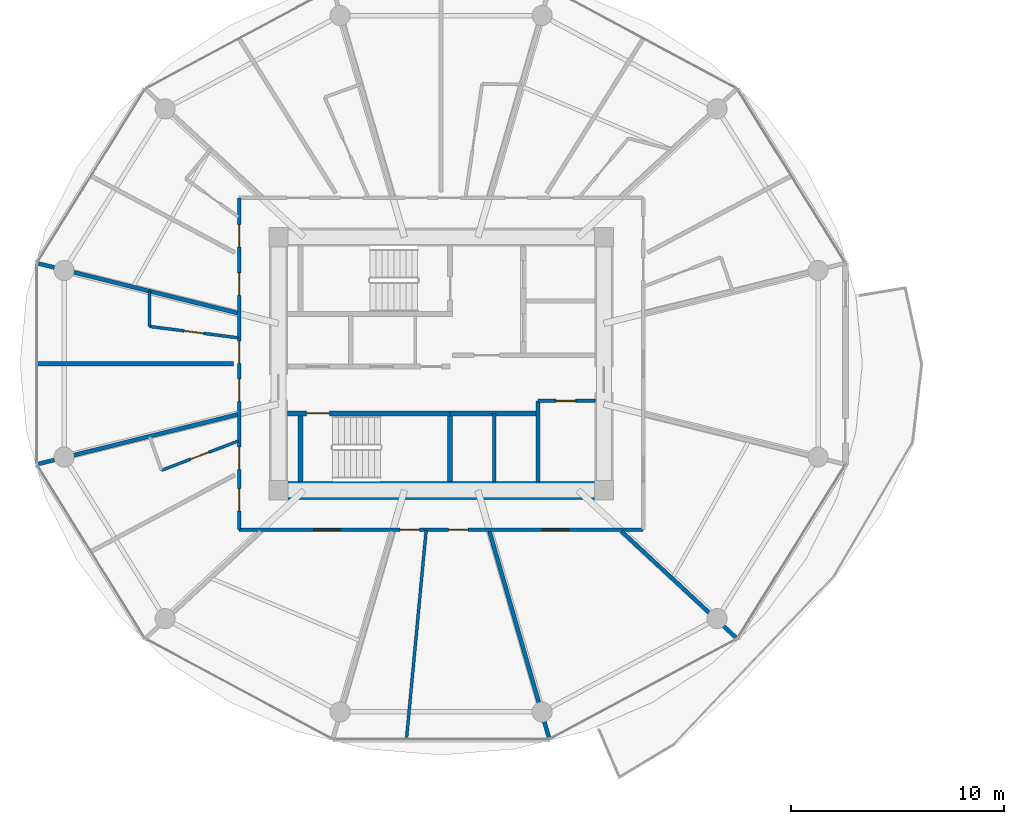
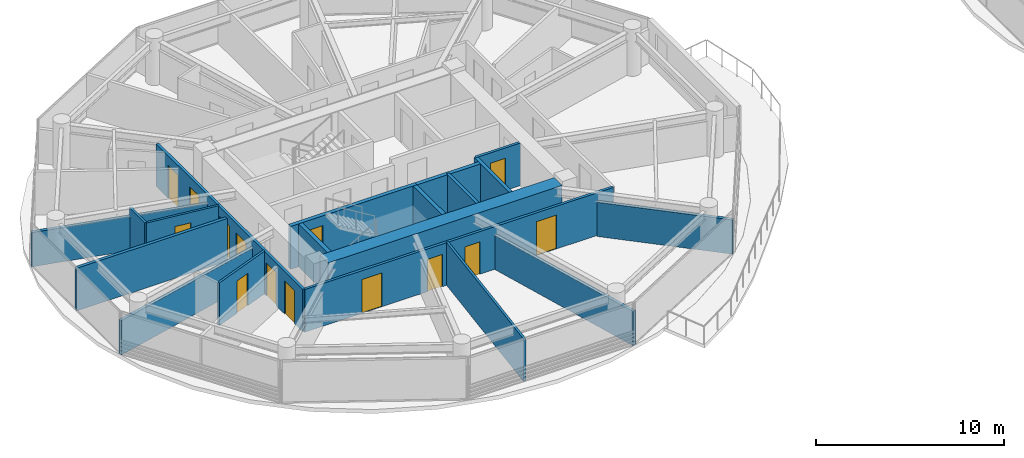
# One storey, part 15 of 27: 19 walls, 14 doors, 14 openings.
"""IFC4 building model written with IfcOpenShell, lengths in metres."""

from ifc_helpers import new_model, si_unit, direction, frame, frame_2d, origin, place, context, subcontext, project, spatial, rectangle, extrude, source, transform, mapped, material, layer, layer_set, type_object, type_shapes, element, fill, save


model = new_model("IFC4")

# Units and contexts
model_context = context("Model", 3, precision=1e-05, world=origin(), true_north=direction((0.0, 1.0)))
body_context = subcontext(model_context, "Body", "Model", "MODEL_VIEW")
ifc_project = project(units=[si_unit("LENGTHUNIT", "METRE"), si_unit("AREAUNIT", "SQUARE_METRE"), si_unit("VOLUMEUNIT", "CUBIC_METRE"), si_unit("PLANEANGLEUNIT", "RADIAN"), si_unit("MASSUNIT", "GRAM", prefix="KILO")], contexts=[model_context])

# Site, building, storey
site_placement = place(None, origin())
site = spatial("IfcSite", under=ifc_project, at=site_placement, CompositionType="ELEMENT")
building_placement = place(site_placement, origin())
building = spatial("IfcBuilding", under=site, at=building_placement, Name="Norrkilde Senior Care Towers", CompositionType="ELEMENT")
storey_placement = place(building_placement, frame((0.0, 0.0, 61.25)))
storey = spatial("IfcBuildingStorey", under=building, at=storey_placement, Name="L18", CompositionType="ELEMENT", Elevation=61.25)

# Walls
ifc_material_1 = material(Name="Concrete C60/75", Category="concrete")
ifc_layer_1 = layer(ifc_material_1, 0.85009765625)
ifc_layer_set_1 = layer_set([ifc_layer_1], Name="Concrete C60/75")
wall_type_1 = type_object("IfcWallType", Name="Core Shear Wall Z1 850", PredefinedType="SHEAR", material=ifc_layer_set_1)
shared_shape_1 = source(origin(), body_context, "Body", "SweptSolid", [
    extrude(rectangle(XDim=14.39990234375, YDim=0.85009765625, at=frame_2d((7.199951171875, 0.0))), origin(), (0.0, 0.0, 1.0), 2.7900390625),
])
type_shapes(wall_type_1, [shared_shape_1])
wall_1_placement = place(storey_placement, frame((-20.800048828125, -5.949951171875, 0.0), z_axis=(0.0, 0.0, 1.0), x_axis=(-1.0, 0.0, 0.0)))
element("IfcWall", 1, at=wall_1_placement, inside=storey, type_object=wall_type_1, Name="L18 Core W South Shear Wall", PredefinedType="SHEAR", context=body_context, shape_type="MappedRepresentation", body=[
    mapped(shared_shape_1, transform((0.0, 0.0, 0.0), x_axis=(1.0, 0.0, 0.0), y_axis=(0.0, 1.0, 0.0), z_axis=(0.0, 0.0, 1.0), scale=1.0)),
])
ifc_material_2 = material(Name="Concrete C45/55", Category="concrete")
ifc_layer_2 = layer(ifc_material_2, 0.199951171875)
ifc_layer_set_2 = layer_set([ifc_layer_2], Name="Concrete C45/55")
wall_type_2 = type_object("IfcWallType", Name="Shaft Division and Plant Partition 200", PredefinedType="PARTITIONING", material=ifc_layer_set_2)
shared_shape_2 = source(origin(), body_context, "Body", "SweptSolid", [
    extrude(rectangle(XDim=3.800048828125, YDim=0.199951171875, at=frame_2d((1.89990234375, 0.0))), origin(), (0.0, 0.0, 1.0), 2.77490234375),
])
type_shapes(wall_type_2, [shared_shape_2])
wall_2_placement = place(storey_placement, frame((-23.449951171875, -5.550048828125, 0.0), z_axis=(0.0, 0.0, 1.0), x_axis=(0.0, 1.0, 0.0)))
element("IfcWall", 2, at=wall_2_placement, inside=storey, type_object=wall_type_2, Name="WL-INT-L18-W-PKBE", PredefinedType="PARTITIONING", context=body_context, shape_type="MappedRepresentation", body=[
    mapped(shared_shape_2, transform((0.0, 0.0, 0.0), x_axis=(1.0, 0.0, 0.0), y_axis=(0.0, 1.0, 0.0), z_axis=(0.0, 0.0, 1.0), scale=1.0)),
])
ifc_layer_3 = layer(ifc_material_2, 0.239990234375)
ifc_layer_set_3 = layer_set([ifc_layer_3], Name="Concrete C45/55")
wall_type_3 = type_object("IfcWallType", Name="Lift and Plant Rated Enclosure Partition 240", PredefinedType="PARTITIONING", material=ifc_layer_set_3)
shared_shape_3 = source(origin(), body_context, "Body", "SweptSolid", [
    extrude(rectangle(XDim=4.130126953125, YDim=0.239990234375, at=frame_2d((2.06494140625, 0.0))), origin(), (0.0, 0.0, 1.0), 2.77490234375),
])
type_shapes(wall_type_3, [shared_shape_3])
wall_3_placement = place(storey_placement, frame((-27.580078125, -2.330078125, 0.0), z_axis=(0.0, 0.0, 1.0), x_axis=(1.0, 0.0, 0.0)))
element("IfcWall", 3, at=wall_3_placement, inside=storey, type_object=wall_type_3, Name="WL-INT-L18-W-PKBN", PredefinedType="PARTITIONING", context=body_context, shape_type="MappedRepresentation", body=[
    mapped(shared_shape_3, transform((0.0, 0.0, 0.0), x_axis=(1.0, 0.0, 0.0), y_axis=(0.0, 1.0, 0.0), z_axis=(0.0, 0.0, 1.0), scale=1.0)),
])
ifc_layer_4 = layer(ifc_material_2, 0.179931640625)
ifc_layer_set_4 = layer_set([ifc_layer_4], Name="Concrete C45/55")
wall_type_4 = type_object("IfcWallType", Name="Hoistway Division Rated Partition 180", PredefinedType="PARTITIONING", material=ifc_layer_set_4)
shared_shape_4 = source(origin(), body_context, "Body", "SweptSolid", [
    extrude(rectangle(XDim=3.219970703125, YDim=0.179931640625, at=frame_2d((1.60986328125, 0.0))), origin(), (0.0, 0.0, 1.0), 2.77490234375),
])
type_shapes(wall_type_4, [shared_shape_4])
wall_4_placement = place(storey_placement, frame((-25.5, -5.550048828125, 0.0), z_axis=(0.0, 0.0, 1.0), x_axis=(0.0, 1.0, 0.0)))
element("IfcWall", 4, at=wall_4_placement, inside=storey, type_object=wall_type_4, Name="WL-INT-L18-W-PL34", PredefinedType="PARTITIONING", context=body_context, shape_type="MappedRepresentation", body=[
    mapped(shared_shape_4, transform((0.0, 0.0, 0.0), x_axis=(1.0, 0.0, 0.0), y_axis=(0.0, 1.0, 0.0), z_axis=(0.0, 0.0, 1.0), scale=1.0)),
])

# Wall, opening, door
ifc_material_3 = material(Name="Gypsum Acoustic Board")
ifc_layer_5 = layer(ifc_material_3, 0.1650390625)
ifc_layer_set_5 = layer_set([ifc_layer_5], Name="Gypsum Acoustic Board")
wall_type_5 = type_object("IfcWallType", Name="Corridor Rated Partition 165", PredefinedType="PARTITIONING", material=ifc_layer_set_5)
shared_shape_5 = source(origin(), body_context, "Body", "SweptSolid", [
    extrude(rectangle(XDim=2.699951171875, YDim=0.1650390625, at=frame_2d((1.35009765625, 0.0))), origin(), (0.0, 0.0, 1.0), 2.77490234375),
])
wall_5_placement = place(storey_placement, frame((-23.449951171875, -1.75, 0.0), z_axis=(0.0, 0.0, 1.0), x_axis=(1.0, 0.0, 0.0)))
wall_5 = element("IfcWall", 5, at=wall_5_placement, inside=storey, type_object=wall_type_5, Name="WL-INT-L18-W-CSN", PredefinedType="PARTITIONING", context=body_context, shape_type="MappedRepresentation", body=[
    mapped(shared_shape_5, transform((0.0, 0.0, 0.0), x_axis=(1.0, 0.0, 0.0), y_axis=(0.0, 1.0, 0.0), z_axis=(0.0, 0.0, 1.0), scale=1.0)),
])
opening_1_placement = place(wall_5_placement, frame((0.85009765625, 0.0, 0.0)))
opening_1 = element("IfcOpeningElement", 6, at=opening_1_placement, cuts=wall_5, Name="Opening D-12", PredefinedType="OPENING", context=body_context, shape_type="SweptSolid", body=[
    extrude(rectangle(XDim=0.925048828125, YDim=2.10009765625, at=frame_2d((0.46240234375, 1.050048828125))), frame((0.0, 0.092529296875, 0.0), z_axis=(0.0, -1.0, 0.0), x_axis=(1.0, 0.0, 0.0)), (0.0, 0.0, 1.0), 0.18505859375),
])
ifc_material_4 = material(Name="Galvanised Painted Steel", Category="steel")
door_type_1 = type_object("IfcDoorType", Name="Core Wet Room Rated Door 925x2100", OperationType="NOTDEFINED", PredefinedType="DOOR", material=ifc_material_4)
shared_shape_6 = source(origin(), body_context, "Body", "SweptSolid", [
    extrude(rectangle(XDim=0.925048828125, YDim=2.10009765625, at=frame_2d((0.46240234375, 1.050048828125))), frame((0.0, 0.02490234375, 0.0), z_axis=(0.0, -1.0, 0.0), x_axis=(1.0, 0.0, 0.0)), (0.0, 0.0, 1.0), 0.050048828125),
])
type_shapes(door_type_1, [shared_shape_6])
door_1_placement = place(opening_1_placement, origin())
door_1 = element("IfcDoor", 7, at=door_1_placement, inside=storey, type_object=door_type_1, Name="L18 Core Utility W Door", OperationType="SINGLE_SWING_LEFT", OverallHeight=2.10009765625, OverallWidth=0.925048828125, PredefinedType="DOOR", context=body_context, shape_type="MappedRepresentation", body=[
    mapped(shared_shape_6, transform((0.0, 0.0, 0.0), x_axis=(1.0, 0.0, 0.0), y_axis=(0.0, 1.0, 0.0), z_axis=(0.0, 0.0, 1.0), scale=1.0)),
])
fill(opening_1, door_1)

# Wall, openings, doors
shared_shape_7 = source(origin(), body_context, "Body", "SweptSolid", [
    extrude(rectangle(XDim=19.0, YDim=0.1650390625, at=frame_2d((9.5, 0.0))), origin(), (0.0, 0.0, 1.0), 2.77490234375),
])
wall_6_placement = place(storey_placement, frame((-18.5, -7.800048828125, 0.0), z_axis=(0.0, 0.0, 1.0), x_axis=(-1.0, 0.0, 0.0)))
wall_6 = element("IfcWall", 8, at=wall_6_placement, inside=storey, type_object=wall_type_5, Name="WL-INT-L18-W-CRW-S-0", PredefinedType="PARTITIONING", context=body_context, shape_type="MappedRepresentation", body=[
    mapped(shared_shape_7, transform((0.0, 0.0, 0.0), x_axis=(1.0, 0.0, 0.0), y_axis=(0.0, 1.0, 0.0), z_axis=(0.0, 0.0, 1.0), scale=1.0)),
])
opening_2_placement = place(wall_6_placement, frame((14.244384765625, 0.0, 0.0)))
opening_2 = element("IfcOpeningElement", 9, at=opening_2_placement, cuts=wall_6, Name="Opening D-05", PredefinedType="OPENING", context=body_context, shape_type="SweptSolid", body=[
    extrude(rectangle(XDim=1.25, YDim=2.199951171875, at=frame_2d((0.625, 1.10009765625))), frame((0.0, 0.092529296875, 0.0), z_axis=(0.0, -1.0, 0.0), x_axis=(1.0, 0.0, 0.0)), (0.0, 0.0, 1.0), 0.18505859375),
])
opening_3_placement = place(wall_6_placement, frame((10.523193359375, 0.0, 0.0)))
opening_3 = element("IfcOpeningElement", 10, at=opening_3_placement, cuts=wall_6, Name="Opening D-08", PredefinedType="OPENING", context=body_context, shape_type="SweptSolid", body=[
    extrude(rectangle(XDim=0.919921875, YDim=2.10009765625, at=frame_2d((0.4599609375, 1.050048828125))), frame((0.0, 0.092529296875, 0.0), z_axis=(0.0, -1.0, 0.0), x_axis=(1.0, 0.0, 0.0)), (0.0, 0.0, 1.0), 0.18505859375),
])
opening_4_placement = place(wall_6_placement, frame((8.2255859375, 0.0, 0.0)))
opening_4 = element("IfcOpeningElement", 11, at=opening_4_placement, cuts=wall_6, Name="Opening D-08", PredefinedType="OPENING", context=body_context, shape_type="SweptSolid", body=[
    extrude(rectangle(XDim=0.919921875, YDim=2.10009765625, at=frame_2d((0.4599609375, 1.050048828125))), frame((0.0, 0.092529296875, 0.0), z_axis=(0.0, -1.0, 0.0), x_axis=(1.0, 0.0, 0.0)), (0.0, 0.0, 1.0), 0.18505859375),
])
opening_5_placement = place(wall_6_placement, frame((3.505615234375, 0.0, 0.0)))
opening_5 = element("IfcOpeningElement", 12, at=opening_5_placement, cuts=wall_6, Name="Opening D-05", PredefinedType="OPENING", context=body_context, shape_type="SweptSolid", body=[
    extrude(rectangle(XDim=1.25, YDim=2.199951171875, at=frame_2d((0.625, 1.10009765625))), frame((0.0, 0.092529296875, 0.0), z_axis=(0.0, -1.0, 0.0), x_axis=(1.0, 0.0, 0.0)), (0.0, 0.0, 1.0), 0.18505859375),
])
ifc_material_5 = material(Name="Nordic Ash Timber", Category="wood")
door_type_2 = type_object("IfcDoorType", Name="Care Bedroom Bariatric Door 1250x2200", OperationType="NOTDEFINED", PredefinedType="DOOR", material=ifc_material_5)
shared_shape_8 = source(origin(), body_context, "Body", "SweptSolid", [
    extrude(rectangle(XDim=1.25, YDim=2.199951171875, at=frame_2d((0.625, 1.10009765625))), frame((0.0, 0.02490234375, 0.0), z_axis=(0.0, -1.0, 0.0), x_axis=(1.0, 0.0, 0.0)), (0.0, 0.0, 1.0), 0.050048828125),
])
type_shapes(door_type_2, [shared_shape_8])
door_2_placement = place(opening_2_placement, frame((1.25, 0.0, 0.0), z_axis=(0.0, 0.0, 1.0), x_axis=(-1.0, 0.0, 0.0)))
door_2 = element("IfcDoor", 13, at=door_2_placement, inside=storey, type_object=door_type_2, Name="L18 Geriatric Rehabilitation Clinic Door", OperationType="SINGLE_SWING_RIGHT", OverallHeight=2.199951171875, OverallWidth=1.25, PredefinedType="DOOR", context=body_context, shape_type="MappedRepresentation", body=[
    mapped(shared_shape_8, transform((0.0, 0.0, 0.0), x_axis=(1.0, 0.0, 0.0), y_axis=(0.0, 1.0, 0.0), z_axis=(0.0, 0.0, 1.0), scale=1.0)),
])
fill(opening_2, door_2)
door_3_placement = place(opening_5_placement, frame((1.25, 0.0, 0.0), z_axis=(0.0, 0.0, 1.0), x_axis=(-1.0, 0.0, 0.0)))
door_3 = element("IfcDoor", 14, at=door_3_placement, inside=storey, type_object=door_type_2, Name="L18 Resident Therapeutic Day Lounge Door", OperationType="SINGLE_SWING_RIGHT", OverallHeight=2.199951171875, OverallWidth=1.25, PredefinedType="DOOR", context=body_context, shape_type="MappedRepresentation", body=[
    mapped(shared_shape_8, transform((0.0, 0.0, 0.0), x_axis=(1.0, 0.0, 0.0), y_axis=(0.0, 1.0, 0.0), z_axis=(0.0, 0.0, 1.0), scale=1.0)),
])
fill(opening_5, door_3)
door_type_3 = type_object("IfcDoorType", Name="Accessible Wet Room Door 920x2100", OperationType="NOTDEFINED", PredefinedType="DOOR", material=ifc_material_5)
shared_shape_9 = source(origin(), body_context, "Body", "SweptSolid", [
    extrude(rectangle(XDim=0.919921875, YDim=2.10009765625, at=frame_2d((0.4599609375, 1.050048828125))), frame((0.0, 0.02490234375, 0.0), z_axis=(0.0, -1.0, 0.0), x_axis=(1.0, 0.0, 0.0)), (0.0, 0.0, 1.0), 0.050048828125),
])
type_shapes(door_type_3, [shared_shape_9])
door_4_placement = place(opening_3_placement, frame((0.919921875, 0.0, 0.0), z_axis=(0.0, 0.0, 1.0), x_axis=(-1.0, 0.0, 0.0)))
door_4 = element("IfcDoor", 15, at=door_4_placement, inside=storey, type_object=door_type_3, Name="L18 Accessible Restroom Door", OperationType="SINGLE_SWING_LEFT", OverallHeight=2.10009765625, OverallWidth=0.919921875, PredefinedType="DOOR", context=body_context, shape_type="MappedRepresentation", body=[
    mapped(shared_shape_9, transform((0.0, 0.0, 0.0), x_axis=(1.0, 0.0, 0.0), y_axis=(0.0, 1.0, 0.0), z_axis=(0.0, 0.0, 1.0), scale=1.0)),
])
fill(opening_3, door_4)
door_5_placement = place(opening_4_placement, frame((0.919921875, 0.0, 0.0), z_axis=(0.0, 0.0, 1.0), x_axis=(-1.0, 0.0, 0.0)))
door_5 = element("IfcDoor", 16, at=door_5_placement, inside=storey, type_object=door_type_3, Name="L18 Public Restroom Door", OperationType="SINGLE_SWING_RIGHT", OverallHeight=2.10009765625, OverallWidth=0.919921875, PredefinedType="DOOR", context=body_context, shape_type="MappedRepresentation", body=[
    mapped(shared_shape_9, transform((0.0, 0.0, 0.0), x_axis=(1.0, 0.0, 0.0), y_axis=(0.0, 1.0, 0.0), z_axis=(0.0, 0.0, 1.0), scale=1.0)),
])
fill(opening_4, door_5)

shared_shape_10 = source(origin(), body_context, "Body", "SweptSolid", [
    extrude(rectangle(XDim=15.60009765625, YDim=0.1650390625, at=frame_2d((7.800048828125, 0.0))), origin(), (0.0, 0.0, 1.0), 2.77490234375),
])
type_shapes(wall_type_5, [shared_shape_5, shared_shape_7, shared_shape_10])
wall_7_placement = place(storey_placement, frame((-37.5, -7.800048828125, 0.0), z_axis=(0.0, 0.0, 1.0), x_axis=(0.0, 1.0, 0.0)))
wall_7 = element("IfcWall", 17, at=wall_7_placement, inside=storey, type_object=wall_type_5, Name="WL-INT-L18-W-CRW-W-0", PredefinedType="PARTITIONING", context=body_context, shape_type="MappedRepresentation", body=[
    mapped(shared_shape_10, transform((0.0, 0.0, 0.0), x_axis=(1.0, 0.0, 0.0), y_axis=(0.0, 1.0, 0.0), z_axis=(0.0, 0.0, 1.0), scale=1.0)),
])
opening_6_placement = place(wall_7_placement, frame((7.811767578125, 0.0, 0.0)))
opening_6 = element("IfcOpeningElement", 18, at=opening_6_placement, cuts=wall_7, Name="Opening D-06", PredefinedType="OPENING", context=body_context, shape_type="SweptSolid", body=[
    extrude(rectangle(XDim=1.050048828125, YDim=2.14990234375, at=frame_2d((0.52490234375, 1.074951171875))), frame((0.0, 0.092529296875, 0.0), z_axis=(0.0, -1.0, 0.0), x_axis=(1.0, 0.0, 0.0)), (0.0, 0.0, 1.0), 0.18505859375),
])
opening_7_placement = place(wall_7_placement, frame((6.03466796875, 0.0, 0.0)))
opening_7 = element("IfcOpeningElement", 19, at=opening_7_placement, cuts=wall_7, Name="Opening D-06", PredefinedType="OPENING", context=body_context, shape_type="SweptSolid", body=[
    extrude(rectangle(XDim=1.050048828125, YDim=2.14990234375, at=frame_2d((0.52490234375, 1.074951171875))), frame((0.0, 0.092529296875, 0.0), z_axis=(0.0, -1.0, 0.0), x_axis=(1.0, 0.0, 0.0)), (0.0, 0.0, 1.0), 0.18505859375),
])
opening_8_placement = place(wall_7_placement, frame((2.826416015625, 0.0, 0.0)))
opening_8 = element("IfcOpeningElement", 20, at=opening_8_placement, cuts=wall_7, Name="Opening D-06", PredefinedType="OPENING", context=body_context, shape_type="SweptSolid", body=[
    extrude(rectangle(XDim=1.050048828125, YDim=2.14990234375, at=frame_2d((0.52490234375, 1.074951171875))), frame((0.0, 0.092529296875, 0.0), z_axis=(0.0, -1.0, 0.0), x_axis=(1.0, 0.0, 0.0)), (0.0, 0.0, 1.0), 0.18505859375),
])
opening_9_placement = place(wall_7_placement, frame((0.88134765625, 0.0, 0.0)))
opening_9 = element("IfcOpeningElement", 21, at=opening_9_placement, cuts=wall_7, Name="Opening D-06", PredefinedType="OPENING", context=body_context, shape_type="SweptSolid", body=[
    extrude(rectangle(XDim=1.050048828125, YDim=2.14990234375, at=frame_2d((0.52490234375, 1.074951171875))), frame((0.0, 0.092529296875, 0.0), z_axis=(0.0, -1.0, 0.0), x_axis=(1.0, 0.0, 0.0)), (0.0, 0.0, 1.0), 0.18505859375),
])
opening_10_placement = place(wall_7_placement, frame((13.293212890625, 0.0, 0.0)))
opening_10 = element("IfcOpeningElement", 22, at=opening_10_placement, cuts=wall_7, Name="Opening D-06", PredefinedType="OPENING", context=body_context, shape_type="SweptSolid", body=[
    extrude(rectangle(XDim=1.050048828125, YDim=2.14990234375, at=frame_2d((0.52490234375, 1.074951171875))), frame((0.0, 0.092529296875, 0.0), z_axis=(0.0, -1.0, 0.0), x_axis=(1.0, 0.0, 0.0)), (0.0, 0.0, 1.0), 0.18505859375),
])
opening_11_placement = place(wall_7_placement, frame((11.017822265625, 0.0, 0.0)))
opening_11 = element("IfcOpeningElement", 23, at=opening_11_placement, cuts=wall_7, Name="Opening D-06", PredefinedType="OPENING", context=body_context, shape_type="SweptSolid", body=[
    extrude(rectangle(XDim=1.050048828125, YDim=2.14990234375, at=frame_2d((0.52490234375, 1.074951171875))), frame((0.0, 0.092529296875, 0.0), z_axis=(0.0, -1.0, 0.0), x_axis=(1.0, 0.0, 0.0)), (0.0, 0.0, 1.0), 0.18505859375),
])
door_type_4 = type_object("IfcDoorType", Name="Apartment Entrance Fire Door 1050x2150", OperationType="NOTDEFINED", PredefinedType="DOOR", material=ifc_material_5)
shared_shape_11 = source(origin(), body_context, "Body", "SweptSolid", [
    extrude(rectangle(XDim=1.050048828125, YDim=2.14990234375, at=frame_2d((0.52490234375, 1.074951171875))), frame((0.0, 0.02490234375, 0.0), z_axis=(0.0, -1.0, 0.0), x_axis=(1.0, 0.0, 0.0)), (0.0, 0.0, 1.0), 0.050048828125),
])
type_shapes(door_type_4, [shared_shape_11])
door_6_placement = place(opening_6_placement, frame((1.050048828125, 0.0, 0.0), z_axis=(0.0, 0.0, 1.0), x_axis=(-1.0, 0.0, 0.0)))
door_6 = element("IfcDoor", 24, at=door_6_placement, inside=storey, type_object=door_type_4, Name="L18 Care Suite 1805A Entrance Door", OperationType="SINGLE_SWING_LEFT", OverallHeight=2.14990234375, OverallWidth=1.050048828125, PredefinedType="DOOR", context=body_context, shape_type="MappedRepresentation", body=[
    mapped(shared_shape_11, transform((0.0, 0.0, 0.0), x_axis=(1.0, 0.0, 0.0), y_axis=(0.0, 1.0, 0.0), z_axis=(0.0, 0.0, 1.0), scale=1.0)),
])
fill(opening_6, door_6)
door_7_placement = place(opening_7_placement, frame((1.050048828125, 0.0, 0.0), z_axis=(0.0, 0.0, 1.0), x_axis=(-1.0, 0.0, 0.0)))
door_7 = element("IfcDoor", 25, at=door_7_placement, inside=storey, type_object=door_type_4, Name="L18 Therapy Day Lounge 05 Door", OperationType="SINGLE_SWING_LEFT", OverallHeight=2.14990234375, OverallWidth=1.050048828125, PredefinedType="DOOR", context=body_context, shape_type="MappedRepresentation", body=[
    mapped(shared_shape_11, transform((0.0, 0.0, 0.0), x_axis=(1.0, 0.0, 0.0), y_axis=(0.0, 1.0, 0.0), z_axis=(0.0, 0.0, 1.0), scale=1.0)),
])
fill(opening_7, door_7)
door_8_placement = place(opening_8_placement, frame((1.050048828125, 0.0, 0.0), z_axis=(0.0, 0.0, 1.0), x_axis=(-1.0, 0.0, 0.0)))
door_8 = element("IfcDoor", 26, at=door_8_placement, inside=storey, type_object=door_type_4, Name="L18 Care Suite 1806A Entrance Door", OperationType="SINGLE_SWING_RIGHT", OverallHeight=2.14990234375, OverallWidth=1.050048828125, PredefinedType="DOOR", context=body_context, shape_type="MappedRepresentation", body=[
    mapped(shared_shape_11, transform((0.0, 0.0, 0.0), x_axis=(1.0, 0.0, 0.0), y_axis=(0.0, 1.0, 0.0), z_axis=(0.0, 0.0, 1.0), scale=1.0)),
])
fill(opening_8, door_8)
door_9_placement = place(opening_9_placement, frame((1.050048828125, 0.0, 0.0), z_axis=(0.0, 0.0, 1.0), x_axis=(-1.0, 0.0, 0.0)))
door_9 = element("IfcDoor", 27, at=door_9_placement, inside=storey, type_object=door_type_4, Name="L18 Therapy Day Lounge 06 Door", OperationType="SINGLE_SWING_RIGHT", OverallHeight=2.14990234375, OverallWidth=1.050048828125, PredefinedType="DOOR", context=body_context, shape_type="MappedRepresentation", body=[
    mapped(shared_shape_11, transform((0.0, 0.0, 0.0), x_axis=(1.0, 0.0, 0.0), y_axis=(0.0, 1.0, 0.0), z_axis=(0.0, 0.0, 1.0), scale=1.0)),
])
fill(opening_9, door_9)
door_10_placement = place(opening_10_placement, frame((1.050048828125, 0.0, 0.0), z_axis=(0.0, 0.0, 1.0), x_axis=(-1.0, 0.0, 0.0)))
door_10 = element("IfcDoor", 28, at=door_10_placement, inside=storey, type_object=door_type_4, Name="L18 Care Suite 1804A Entrance Door", OperationType="SINGLE_SWING_RIGHT", OverallHeight=2.14990234375, OverallWidth=1.050048828125, PredefinedType="DOOR", context=body_context, shape_type="MappedRepresentation", body=[
    mapped(shared_shape_11, transform((0.0, 0.0, 0.0), x_axis=(1.0, 0.0, 0.0), y_axis=(0.0, 1.0, 0.0), z_axis=(0.0, 0.0, 1.0), scale=1.0)),
])
fill(opening_10, door_10)
door_11_placement = place(opening_11_placement, frame((1.050048828125, 0.0, 0.0), z_axis=(0.0, 0.0, 1.0), x_axis=(-1.0, 0.0, 0.0)))
door_11 = element("IfcDoor", 29, at=door_11_placement, inside=storey, type_object=door_type_4, Name="L18 Therapy Day Lounge 04 Door", OperationType="SINGLE_SWING_RIGHT", OverallHeight=2.14990234375, OverallWidth=1.050048828125, PredefinedType="DOOR", context=body_context, shape_type="MappedRepresentation", body=[
    mapped(shared_shape_11, transform((0.0, 0.0, 0.0), x_axis=(1.0, 0.0, 0.0), y_axis=(0.0, 1.0, 0.0), z_axis=(0.0, 0.0, 1.0), scale=1.0)),
])
fill(opening_11, door_11)

# Wall, opening, door
ifc_layer_6 = layer(ifc_material_3, 0.139892578125)
ifc_layer_set_6 = layer_set([ifc_layer_6], Name="Gypsum Acoustic Board")
wall_type_6 = type_object("IfcWallType", Name="En-suite Wet Room Wall 140", PredefinedType="PARTITIONING", material=ifc_layer_set_6)
shared_shape_12 = source(origin(), body_context, "Body", "SweptSolid", [
    extrude(rectangle(XDim=3.8740234375, YDim=0.139892578125, at=frame_2d((1.93701171875, 0.0))), origin(), (0.0, 0.0, 1.0), 2.77490234375),
])
wall_8_placement = place(storey_placement, frame((-37.530029296875, -3.631591796875, 0.0), z_axis=(0.0, 0.0, 1.0), x_axis=(-0.934461775659, -0.35606346321, 0.0)))
wall_8 = element("IfcWall", 30, at=wall_8_placement, inside=storey, type_object=wall_type_6, Name="WL-INT-L18-W-ES-06A", PredefinedType="PARTITIONING", context=body_context, shape_type="MappedRepresentation", body=[
    mapped(shared_shape_12, transform((0.0, 0.0, 0.0), x_axis=(1.0, 0.0, 0.0), y_axis=(0.0, 1.0, 0.0), z_axis=(0.0, 0.0, 1.0), scale=1.0)),
])
opening_12_placement = place(wall_8_placement, frame((1.47705078125, 0.0, 0.0)))
opening_12 = element("IfcOpeningElement", 31, at=opening_12_placement, cuts=wall_8, Name="Opening D-08", PredefinedType="OPENING", context=body_context, shape_type="SweptSolid", body=[
    extrude(rectangle(XDim=0.919921875, YDim=2.10009765625, at=frame_2d((0.4599609375, 1.050048828125))), frame((0.0, 0.079833984375, 0.0), z_axis=(0.0, -1.0, 0.0), x_axis=(1.0, 0.0, 0.0)), (0.0, 0.0, 1.0), 0.159912109375),
])
door_12_placement = place(opening_12_placement, origin())
door_12 = element("IfcDoor", 32, at=door_12_placement, inside=storey, type_object=door_type_3, Name="L18 Care Suite 1806A Bathroom Door", OperationType="SINGLE_SWING_LEFT", OverallHeight=2.10009765625, OverallWidth=0.919921875, PredefinedType="DOOR", context=body_context, shape_type="MappedRepresentation", body=[
    mapped(shared_shape_9, transform((0.0, 0.0, 0.0), x_axis=(1.0, 0.0, 0.0), y_axis=(0.0, 1.0, 0.0), z_axis=(0.0, 0.0, 1.0), scale=1.0)),
])
fill(opening_12, door_12)

ifc_layer_7 = layer(ifc_material_2, 0.239990234375)
ifc_layer_set_7 = layer_set([ifc_layer_7], Name="Concrete C45/55")
wall_type_7 = type_object("IfcWallType", Name="Shaft and Stair Enclosure Wall 240", PredefinedType="PARTITIONING", material=ifc_layer_set_7)
shared_shape_13 = source(origin(), body_context, "Body", "SweptSolid", [
    extrude(rectangle(XDim=7.76513671875, YDim=0.239990234375, at=frame_2d((3.882568359375, 0.0))), origin(), (0.0, 0.0, 1.0), 2.7900390625),
])
wall_9_placement = place(storey_placement, frame((-35.22509765625, -2.330078125, 0.0), z_axis=(0.0, 0.0, 1.0), x_axis=(1.0, 0.0, 0.0)))
wall_9 = element("IfcWall", 33, at=wall_9_placement, inside=storey, type_object=wall_type_7, Name="WL-INT-L18-W-ST2N", PredefinedType="PARTITIONING", context=body_context, shape_type="MappedRepresentation", body=[
    mapped(shared_shape_13, transform((0.0, 0.0, 0.0), x_axis=(1.0, 0.0, 0.0), y_axis=(0.0, 1.0, 0.0), z_axis=(0.0, 0.0, 1.0), scale=1.0)),
])
opening_13_placement = place(wall_9_placement, frame((0.885009765625, 0.0, 0.0)))
opening_13 = element("IfcOpeningElement", 34, at=opening_13_placement, cuts=wall_9, Name="Opening D-03", PredefinedType="OPENING", context=body_context, shape_type="SweptSolid", body=[
    extrude(rectangle(XDim=1.10009765625, YDim=2.14990234375, at=frame_2d((0.550048828125, 1.074951171875))), frame((0.0, 0.1298828125, 0.0), z_axis=(0.0, -1.0, 0.0), x_axis=(1.0, 0.0, 0.0)), (0.0, 0.0, 1.0), 0.260009765625),
])
door_type_5 = type_object("IfcDoorType", Name="Stairwell Protected Fire Door 1100x2150", OperationType="NOTDEFINED", PredefinedType="DOOR", material=ifc_material_4)
shared_shape_14 = source(origin(), body_context, "Body", "SweptSolid", [
    extrude(rectangle(XDim=1.10009765625, YDim=2.14990234375, at=frame_2d((0.550048828125, 1.074951171875))), frame((0.0, 0.02490234375, 0.0), z_axis=(0.0, -1.0, 0.0), x_axis=(1.0, 0.0, 0.0)), (0.0, 0.0, 1.0), 0.050048828125),
])
type_shapes(door_type_5, [shared_shape_14])
door_13_placement = place(opening_13_placement, frame((1.10009765625, 0.0, 0.0), z_axis=(0.0, 0.0, 1.0), x_axis=(-1.0, 0.0, 0.0)))
door_13 = element("IfcDoor", 35, at=door_13_placement, inside=storey, type_object=door_type_5, Name="L18 Stair W2 Fire Door", OperationType="SINGLE_SWING_RIGHT", OverallHeight=2.14990234375, OverallWidth=1.10009765625, PredefinedType="DOOR", context=body_context, shape_type="MappedRepresentation", body=[
    mapped(shared_shape_14, transform((0.0, 0.0, 0.0), x_axis=(1.0, 0.0, 0.0), y_axis=(0.0, 1.0, 0.0), z_axis=(0.0, 0.0, 1.0), scale=1.0)),
])
fill(opening_13, door_13)

# Walls
shared_shape_15 = source(origin(), body_context, "Body", "SweptSolid", [
    extrude(rectangle(XDim=3.074951171875, YDim=0.239990234375, at=frame_2d((1.53759765625, 0.0))), origin(), (0.0, 0.0, 1.0), 2.7900390625),
])
type_shapes(wall_type_7, [shared_shape_13, shared_shape_15])
for number, where, z_axis, x_axis, name in (
    (36, (-34.6201171875, -5.52490234375, 0.0), (0.0, 0.0, 1.0), (0.0, 1.0, 0.0), "WL-INT-L18-W-ST2W"),
    (37, (-27.580078125, -5.52490234375, 0.0), (0.0, 0.0, 1.0), (0.0, 1.0, 0.0), "WL-INT-L18-W-ST2E"),
):
    element("IfcWall", number, at=place(storey_placement, frame(where, z_axis=z_axis, x_axis=x_axis)), inside=storey, type_object=wall_type_7, Name=name, PredefinedType="PARTITIONING", context=body_context, shape_type="MappedRepresentation", body=[
        mapped(shared_shape_15, transform((0.0, 0.0, 0.0), x_axis=(1.0, 0.0, 0.0), y_axis=(0.0, 1.0, 0.0), z_axis=(0.0, 0.0, 1.0), scale=1.0)),
    ])
ifc_layer_8 = layer(ifc_material_3, 0.18994140625)
ifc_layer_set_8 = layer_set([ifc_layer_8], Name="Gypsum Acoustic Board")
wall_type_8 = type_object("IfcWallType", Name="Unit Demising Acoustic Wall 190", PredefinedType="PARTITIONING", material=ifc_layer_set_8)
shared_shape_16 = source(origin(), body_context, "Body", "SweptSolid", [
    extrude(rectangle(XDim=7.4345703125, YDim=0.18994140625, at=frame_2d((3.71728515625, 0.0))), origin(), (0.0, 0.0, 1.0), 2.22509765625),
])
wall_10_placement = place(storey_placement, frame((-19.51708984375, -7.8798828125, 0.0), z_axis=(0.0, 0.0, 1.0), x_axis=(0.732651956848, -0.680603489652, 0.0)))
element("IfcWall", 38, at=wall_10_placement, inside=storey, type_object=wall_type_8, Name="WL-INT-L18-W-DEM-10-0", PredefinedType="PARTITIONING", context=body_context, shape_type="MappedRepresentation", body=[
    mapped(shared_shape_16, transform((0.0, 0.0, 0.0), x_axis=(1.0, 0.0, 0.0), y_axis=(0.0, 1.0, 0.0), z_axis=(0.0, 0.0, 1.0), scale=1.0)),
])
shared_shape_17 = source(origin(), body_context, "Body", "SweptSolid", [
    extrude(rectangle(XDim=10.196044921875, YDim=0.18994140625, at=frame_2d((5.09814453125, 0.0))), origin(), (0.0, 0.0, 1.0), 2.22509765625),
])
wall_11_placement = place(storey_placement, frame((-25.72705078125, -7.8798828125, 0.0), z_axis=(0.0, 0.0, 1.0), x_axis=(0.277136420347, -0.960830580549, 0.0)))
element("IfcWall", 39, at=wall_11_placement, inside=storey, type_object=wall_type_8, Name="WL-INT-L18-W-DEM-09-0", PredefinedType="PARTITIONING", context=body_context, shape_type="MappedRepresentation", body=[
    mapped(shared_shape_17, transform((0.0, 0.0, 0.0), x_axis=(1.0, 0.0, 0.0), y_axis=(0.0, 1.0, 0.0), z_axis=(0.0, 0.0, 1.0), scale=1.0)),
])
shared_shape_18 = source(origin(), body_context, "Body", "SweptSolid", [
    extrude(rectangle(XDim=9.737060546875, YDim=0.18994140625, at=frame_2d((4.86865234375, 0.0))), origin(), (0.0, 0.0, 1.0), 2.22509765625),
])
for number, where, z_axis, x_axis, name in (
    (40, (-37.580078125, 2.384521484375, 0.0), (0.0, 0.0, 1.0), (-0.970392716238, 0.241532557375, 0.0), "WL-INT-L18-W-DEM-05-0"),
    (41, (-37.580078125, -2.384521484375, 0.0), (0.0, 0.0, 1.0), (-0.970392716238, -0.241532557375, 0.0), "WL-INT-L18-W-DEM-06-0"),
):
    element("IfcWall", number, at=place(storey_placement, frame(where, z_axis=z_axis, x_axis=x_axis)), inside=storey, type_object=wall_type_8, Name=name, PredefinedType="PARTITIONING", context=body_context, shape_type="MappedRepresentation", body=[
        mapped(shared_shape_18, transform((0.0, 0.0, 0.0), x_axis=(1.0, 0.0, 0.0), y_axis=(0.0, 1.0, 0.0), z_axis=(0.0, 0.0, 1.0), scale=1.0)),
    ])
shared_shape_19 = source(origin(), body_context, "Body", "SweptSolid", [
    extrude(rectangle(XDim=9.89013671875, YDim=0.139892578125, at=frame_2d((4.945068359375, 0.0))), origin(), (0.0, 0.0, 1.0), 2.77490234375),
])
wall_12_placement = place(storey_placement, frame((-28.7041015625, -7.830078125, 0.0), z_axis=(0.0, 0.0, 1.0), x_axis=(-0.093780403478, -0.995592906726, 0.0)))
element("IfcWall", 42, at=wall_12_placement, inside=storey, type_object=wall_type_6, Name="WL-INT-L18-W-MID-08", PredefinedType="PARTITIONING", context=body_context, shape_type="MappedRepresentation", body=[
    mapped(shared_shape_19, transform((0.0, 0.0, 0.0), x_axis=(1.0, 0.0, 0.0), y_axis=(0.0, 1.0, 0.0), z_axis=(0.0, 0.0, 1.0), scale=1.0)),
])
shared_shape_20 = source(origin(), body_context, "Body", "SweptSolid", [
    extrude(rectangle(XDim=9.261474609375, YDim=0.18994140625, at=frame_2d((4.630859375, 0.0))), origin(), (0.0, 0.0, 1.0), 2.77490234375),
])
type_shapes(wall_type_8, [shared_shape_16, shared_shape_17, shared_shape_18, shared_shape_20])
wall_13_placement = place(storey_placement, frame((-37.767333984375, 0.0, 0.0), z_axis=(0.0, 0.0, 1.0), x_axis=(-1.0, 0.0, 0.0)))
element("IfcWall", 43, at=wall_13_placement, inside=storey, type_object=wall_type_8, Name="WL-INT-L18-W-CMID-05", PredefinedType="PARTITIONING", context=body_context, shape_type="MappedRepresentation", body=[
    mapped(shared_shape_20, transform((0.0, 0.0, 0.0), x_axis=(1.0, 0.0, 0.0), y_axis=(0.0, 1.0, 0.0), z_axis=(0.0, 0.0, 1.0), scale=1.0)),
])

# Wall, opening, door
shared_shape_21 = source(origin(), body_context, "Body", "SweptSolid", [
    extrude(rectangle(XDim=4.2099609375, YDim=0.139892578125, at=frame_2d((2.10498046875, 0.0))), origin(), (0.0, 0.0, 1.0), 2.77490234375),
])
wall_14_placement = place(storey_placement, frame((-37.530029296875, 1.218994140625, 0.0), z_axis=(0.0, 0.0, 1.0), x_axis=(-0.991917821325, 0.126881975625, 0.0)))
wall_14 = element("IfcWall", 44, at=wall_14_placement, inside=storey, type_object=wall_type_6, Name="WL-INT-L18-W-ES-05A", PredefinedType="PARTITIONING", context=body_context, shape_type="MappedRepresentation", body=[
    mapped(shared_shape_21, transform((0.0, 0.0, 0.0), x_axis=(1.0, 0.0, 0.0), y_axis=(0.0, 1.0, 0.0), z_axis=(0.0, 0.0, 1.0), scale=1.0)),
])
opening_14_placement = place(wall_14_placement, frame((1.64501953125, 0.0, 0.0)))
opening_14 = element("IfcOpeningElement", 45, at=opening_14_placement, cuts=wall_14, Name="Opening D-08", PredefinedType="OPENING", context=body_context, shape_type="SweptSolid", body=[
    extrude(rectangle(XDim=0.919921875, YDim=2.10009765625, at=frame_2d((0.4599609375, 1.050048828125))), frame((0.0, 0.079833984375, 0.0), z_axis=(0.0, -1.0, 0.0), x_axis=(1.0, 0.0, 0.0)), (0.0, 0.0, 1.0), 0.159912109375),
])
door_14_placement = place(opening_14_placement, origin())
door_14 = element("IfcDoor", 46, at=door_14_placement, inside=storey, type_object=door_type_3, Name="L18 Care Suite 1805A Bathroom Door", OperationType="SINGLE_SWING_RIGHT", OverallHeight=2.10009765625, OverallWidth=0.919921875, PredefinedType="DOOR", context=body_context, shape_type="MappedRepresentation", body=[
    mapped(shared_shape_9, transform((0.0, 0.0, 0.0), x_axis=(1.0, 0.0, 0.0), y_axis=(0.0, 1.0, 0.0), z_axis=(0.0, 0.0, 1.0), scale=1.0)),
])
fill(opening_14, door_14)

# Wall
shared_shape_22 = source(origin(), body_context, "Body", "SweptSolid", [
    extrude(rectangle(XDim=1.674560546875, YDim=0.139892578125, at=frame_2d((0.83740234375, 0.0))), origin(), (0.0, 0.0, 1.0), 2.77490234375),
])
type_shapes(wall_type_6, [shared_shape_12, shared_shape_19, shared_shape_21, shared_shape_22])
wall_15_placement = place(storey_placement, frame((-41.7060546875, 1.753173828125, 0.0), z_axis=(0.0, 0.0, 1.0), x_axis=(0.003644821977, 0.999993357614, 0.0)))
element("IfcWall", 47, at=wall_15_placement, inside=storey, type_object=wall_type_6, Name="WL-INT-L18-W-EF-05A", PredefinedType="PARTITIONING", context=body_context, shape_type="MappedRepresentation", body=[
    mapped(shared_shape_22, transform((0.0, 0.0, 0.0), x_axis=(1.0, 0.0, 0.0), y_axis=(0.0, 1.0, 0.0), z_axis=(0.0, 0.0, 1.0), scale=1.0)),
])

save(model, "model.ifc")
